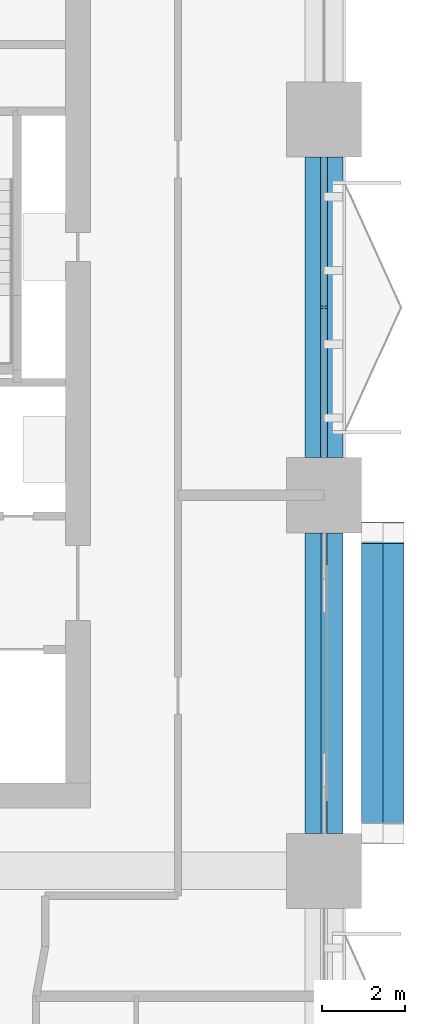
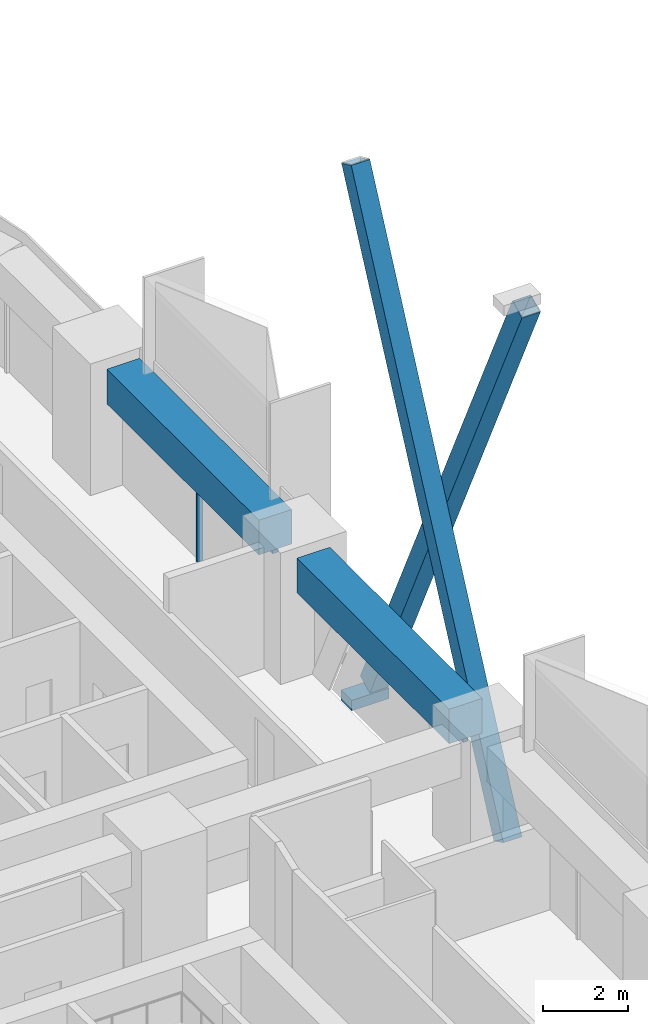
# One storey, part 8 of 19: 6 members, 2 beams, 2 elements without a shape of their own.
"""IFC4 building model written with IfcOpenShell, lengths in metres."""

from ifc_helpers import new_model, si_unit, direction, frame, origin, origin_2d, place, context, subcontext, project, spatial, rectangle, hollow_rectangle, extrude, material, layer, layer_set, material_profile, profile_set, type_object, element, aggregate, save


model = new_model("IFC4")

# Units and contexts
model_context = context("Model", 3, precision=1e-05, world=origin(), true_north=direction((0.0, 1.0)))
body_context = subcontext(model_context, "Body", "Model", "MODEL_VIEW")
ifc_project = project(units=[si_unit("LENGTHUNIT", "METRE"), si_unit("AREAUNIT", "SQUARE_METRE"), si_unit("VOLUMEUNIT", "CUBIC_METRE"), si_unit("PLANEANGLEUNIT", "RADIAN"), si_unit("MASSUNIT", "GRAM", prefix="KILO")], contexts=[model_context])

# Site, building, storey
site_placement = place(None, origin())
site = spatial("IfcSite", under=ifc_project, at=site_placement, CompositionType="ELEMENT")
building_placement = place(site_placement, origin())
building = spatial("IfcBuilding", under=site, at=building_placement, Name="Tessera Arch", CompositionType="ELEMENT")
storey_placement = place(building_placement, frame((0.0, 0.0, 93.0)))
storey = spatial("IfcBuildingStorey", under=building, at=storey_placement, Name="L21", CompositionType="ELEMENT", Elevation=93.0)

# Members
ifc_material_1 = material(Name="Steel A500 Gr C", Category="steel")
ifc_material_profile_1 = material_profile(ifc_material_1, hollow_rectangle(XDim=0.508056640625, YDim=0.508056640625, WallThickness=0.0146484375, at=origin_2d()), Name="HSS20x20x5/8")
ifc_profile_set_1 = profile_set([ifc_material_profile_1], Name="Steel A500 Gr C")
member_type_1 = type_object("IfcMemberType", Name="Brace HSS20x20x5/8 Steel A500 Gr C", PredefinedType="BRACE", material=ifc_profile_set_1)
for number, where, z_axis, x_axis, name in (
    (1, (55.154052734375, 27.89990234375, -0.800048828125), (0.0, 0.428096952335, 0.903732814167), (-1.0, 0.0, 0.0), "Brace E54.0-3 A L21-L24"),
    (2, (55.662109375, 35.10009765625, -0.800048828125), (0.0, -0.428096952335, 0.903732814167), (1.0, 0.0, 0.0), "Brace E54.0-3 B L21-L24"),
):
    element("IfcMember", number, at=place(storey_placement, frame(where, z_axis=z_axis, x_axis=x_axis)), inside=storey, type_object=member_type_1, Name=name, PredefinedType="BRACE", context=body_context, shape_type="SweptSolid", body=[
        extrude(hollow_rectangle(XDim=0.508056640625, YDim=0.508056640625, WallThickness=0.0146484375, at=origin_2d()), origin(), (0.0, 0.0, 1.0), 16.819091796875),
    ])

# Curtain wall, members
ifc_material_2 = material(Name="CW1 curtain wall")
curtain_wall_type_1 = type_object("IfcCurtainWallType", Name="CW1 curtain wall", PredefinedType="NOTDEFINED", material=ifc_material_2)
curtain_wall_1_placement = place(storey_placement, origin())
curtain_wall_1 = element("IfcCurtainWall", 3, at=curtain_wall_1_placement, inside=storey, type_object=curtain_wall_type_1, Name="CW1 curtain wall E54.0/4 L21", PredefinedType="NOTDEFINED")
ifc_material_3 = material(Name="Anodised aluminium pale metal", Category="aluminium")
ifc_material_profile_2 = material_profile(ifc_material_3, rectangle(XDim=0.159912109375, YDim=0.06005859375, at=origin_2d()), Name="AL 60x160")
ifc_profile_set_2 = profile_set([ifc_material_profile_2], Name="Anodised aluminium pale metal")
member_type_2 = type_object("IfcMemberType", Name="CW1 mullion", PredefinedType="MULLION", material=ifc_profile_set_2)
member_1_placement = place(storey_placement, frame((54.0, 40.5, 0.0), z_axis=(0.0, 0.0, 1.0), x_axis=(-1.0, 0.0, 0.0)))
member_1 = element("IfcMember", 4, at=member_1_placement, type_object=member_type_2, Name="CW1 mullion E54.0/4 1", PredefinedType="MULLION", context=body_context, shape_type="SweptSolid", body=[
    extrude(rectangle(XDim=0.159912109375, YDim=0.06005859375, at=origin_2d()), origin(), (0.0, 0.0, 1.0), 2.39990234375),
])
ifc_material_4 = material(Name="Anodised aluminium pale metal", Category="aluminium")
ifc_material_profile_3 = material_profile(ifc_material_4, rectangle(XDim=0.159912109375, YDim=0.10009765625, at=origin_2d()), Name="AL 160x100")
ifc_profile_set_3 = profile_set([ifc_material_profile_3], Name="Anodised aluminium pale metal")
member_type_3 = type_object("IfcMemberType", Name="CW1 transom", PredefinedType="USERDEFINED", material=ifc_profile_set_3)
member_2_placement = place(storey_placement, frame((54.0, 36.89990234375, 2.449951171875), z_axis=(0.0, 1.0, 0.0), x_axis=(-1.0, 0.0, 0.0)))
member_2 = element("IfcMember", 5, at=member_2_placement, type_object=member_type_3, Name="CW1 transom E54.0/4 1.1", ObjectType="TRANSOM", PredefinedType="USERDEFINED", context=body_context, shape_type="SweptSolid", body=[
    extrude(rectangle(XDim=0.159912109375, YDim=0.10009765625, at=origin_2d()), origin(), (0.0, 0.0, 1.0), 7.2001953125),
])
aggregate(curtain_wall_1, [member_1, member_2])

# Curtain wall, member
ifc_material_5 = material(Name="CW3 curtain wall")
curtain_wall_type_2 = type_object("IfcCurtainWallType", Name="CW3 curtain wall", PredefinedType="NOTDEFINED", material=ifc_material_5)
curtain_wall_2_placement = place(storey_placement, origin())
curtain_wall_2 = element("IfcCurtainWall", 6, at=curtain_wall_2_placement, inside=storey, type_object=curtain_wall_type_2, Name="CW3 curtain wall E54.0/3 L21", PredefinedType="NOTDEFINED")
ifc_material_6 = material(Name="Anodised aluminium pale metal", Category="aluminium")
ifc_material_profile_4 = material_profile(ifc_material_6, rectangle(XDim=0.139892578125, YDim=0.10009765625, at=origin_2d()), Name="AL 140x100")
ifc_profile_set_4 = profile_set([ifc_material_profile_4], Name="Anodised aluminium pale metal")
member_type_4 = type_object("IfcMemberType", Name="CW3 transom", PredefinedType="USERDEFINED", material=ifc_profile_set_4)
member_3_placement = place(storey_placement, frame((54.0, 27.89990234375, 2.449951171875), z_axis=(0.0, 1.0, 0.0), x_axis=(-1.0, 0.0, 0.0)))
member_3 = element("IfcMember", 7, at=member_3_placement, type_object=member_type_4, Name="CW3 transom E54.0/3 1.1", ObjectType="TRANSOM", PredefinedType="USERDEFINED", context=body_context, shape_type="SweptSolid", body=[
    extrude(rectangle(XDim=0.139892578125, YDim=0.10009765625, at=origin_2d()), origin(), (0.0, 0.0, 1.0), 7.2001953125),
])
aggregate(curtain_wall_2, [member_3])

# Member
ifc_material_7 = material(Name="Steel A572 Gr50", Category="steel")
ifc_layer = layer(ifc_material_7, 0.050048828125)
ifc_layer_set = layer_set([ifc_layer], Name="Node block Steel A572 Gr50")
member_type_5 = type_object("IfcMemberType", Name="Node block Steel A572 Gr50", PredefinedType="PLATE", material=ifc_layer_set)
member_4_placement = place(storey_placement, frame((55.407958984375, 35.10009765625, -1.2314453125), z_axis=(0.0, 0.0, 1.0), x_axis=(0.0, 1.0, 0.0)))
element("IfcMember", 8, at=member_4_placement, inside=storey, type_object=member_type_5, Name="Node block seat E54.0-3 1 L21", PredefinedType="PLATE", context=body_context, shape_type="SweptSolid", body=[
    extrude(rectangle(XDim=0.508056640625, YDim=1.01611328125, at=origin_2d()), origin(), (0.0, 0.0, 1.0), 0.300048828125),
])

# Beams
ifc_material_8 = material(Name="Concrete C80/95", Category="concrete")
ifc_material_profile_5 = material_profile(ifc_material_8, rectangle(XDim=0.89990234375, YDim=1.0, at=origin_2d()), Name="RC spandrel beam 900 x 1000 Concrete C80/95")
ifc_profile_set_5 = profile_set([ifc_material_profile_5], Name="Concrete C80/95")
beam_type = type_object("IfcBeamType", Name="RC spandrel beam 900 x 1000 Concrete C80/95", PredefinedType="BEAM", material=ifc_profile_set_5)
for number, where, z_axis, x_axis, name in (
    (9, (54.0, 27.89990234375, 3.0), (0.0, 1.0, 0.0), (-1.0, 0.0, 0.0), "Spandrel beam L21 E54.0/3"),
    (10, (54.0, 36.89990234375, 3.0), (0.0, 1.0, 0.0), (-1.0, 0.0, 0.0), "Spandrel beam L21 E54.0/4"),
):
    element("IfcBeam", number, at=place(storey_placement, frame(where, z_axis=z_axis, x_axis=x_axis)), inside=storey, type_object=beam_type, Name=name, PredefinedType="BEAM", context=body_context, shape_type="SweptSolid", body=[
        extrude(rectangle(XDim=0.89990234375, YDim=1.0, at=origin_2d()), origin(), (0.0, 0.0, 1.0), 7.2001953125),
    ])

save(model, "model.ifc")
